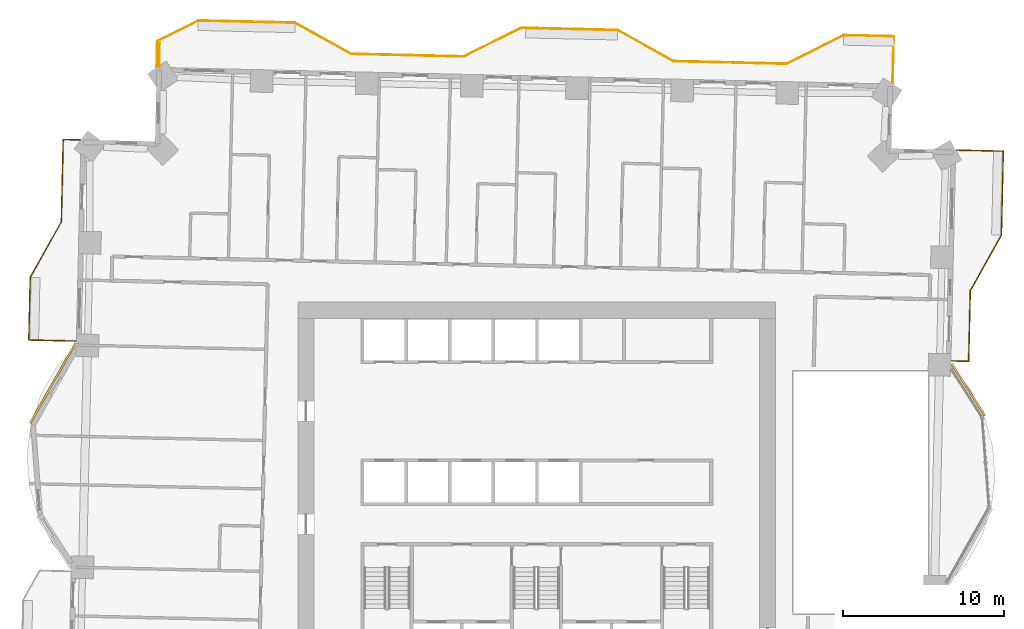
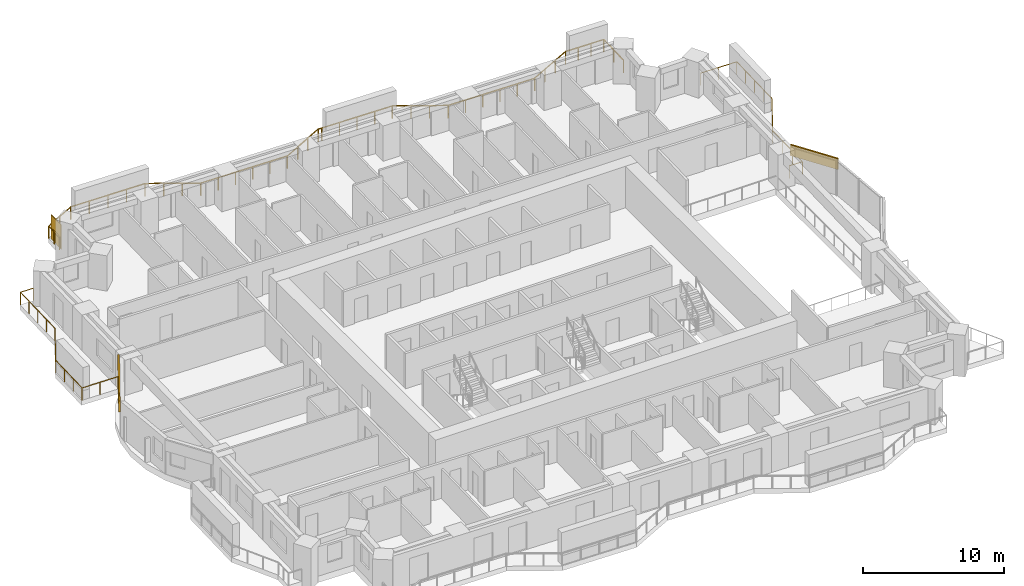
# One storey, part 16 of 16: 3 railings, 2 coverings, 1 shading device.
"""IFC4 building model written with IfcOpenShell, lengths in metres."""

import ifcopenshell
import ifcopenshell.guid

model = None  # the IFC model being written
_history = None  # IfcOwnerHistory: only IFC2X3 demands one
_inside = {}  # id of a spatial element -> (the spatial element, [elements in it])
_under = {}  # id of a project, library or spatial element -> (it, [spatial elements below it])
_declared = {}  # id of a project -> (the project, [libraries it declares])
_typed = {}  # id of a type object -> (the type object, [elements of that type])
_made_of = {}  # id of a material, layer set ... -> (it, [elements and type objects made of it])


def new_model(schema):
    """Start an empty IFC model of exactly this schema.

    Asked for "IFC4X3", IfcOpenShell would pick the latest addendum, in which some entities
    have other attributes; the version numbers below select the first issue.
    IFC2X3 requires an IfcOwnerHistory on every rooted entity: one is made here for all.
    """
    global model, _history
    if schema == "IFC4X3":
        model = ifcopenshell.file(schema_version=(4, 3, 0, 0))
    else:
        model = ifcopenshell.file(schema=schema)
    _inside.clear()
    _under.clear()
    _declared.clear()
    _typed.clear()
    _made_of.clear()
    _history = None
    if model.schema == "IFC2X3":
        org = make("IfcOrganization", Name="unknown")
        user = make(
            "IfcPersonAndOrganization",
            ThePerson=make("IfcPerson", FamilyName="unknown"),
            TheOrganization=org,
        )
        app = make(
            "IfcApplication",
            ApplicationDeveloper=org,
            Version="unknown",
            ApplicationFullName="unknown",
            ApplicationIdentifier="unknown",
        )
        _history = make(
            "IfcOwnerHistory",
            OwningUser=user,
            OwningApplication=app,
            ChangeAction="ADDED",
            CreationDate=0,
        )
    return model


def make(cls, **values):
    """One entity of the class cls with the attributes given. An attribute that is None is left unset."""
    return model.create_entity(
        cls, **{name: value for name, value in values.items() if value is not None}
    )


def rooted(cls, **values):
    """An entity with a GlobalId (a new one), such as an element, a storey or a relation."""
    return make(cls, GlobalId=ifcopenshell.guid.new(), OwnerHistory=_history, **values)


def si_unit(unit_type, name, prefix=None):
    """IfcSIUnit, for example si_unit("LENGTHUNIT", "METRE", prefix="MILLI")."""
    return make("IfcSIUnit", UnitType=unit_type, Prefix=prefix, Name=name)


def assignment(units):
    """IfcUnitAssignment: the units of a project."""
    return None if units is None else make("IfcUnitAssignment", Units=units)


def point(xyz):
    """IfcCartesianPoint."""
    return None if xyz is None else make("IfcCartesianPoint", Coordinates=xyz)


def direction(xyz):
    """IfcDirection."""
    return None if xyz is None else make("IfcDirection", DirectionRatios=xyz)


def frame(location, z_axis=None, x_axis=None):
    """IfcAxis2Placement3D, a coordinate frame: its origin and axes. An axis left out is left unset."""
    return make(
        "IfcAxis2Placement3D",
        Location=point(location),
        Axis=direction(z_axis),
        RefDirection=direction(x_axis),
    )


def frame_2d(location, x_axis=None):
    """IfcAxis2Placement2D, a coordinate frame in the plane: its origin and x axis."""
    return make(
        "IfcAxis2Placement2D", Location=point(location), RefDirection=direction(x_axis)
    )


def origin():
    """The frame at (0, 0, 0) with its axes left unset."""
    return frame((0.0, 0.0, 0.0))


def origin_2d():
    """The frame at (0, 0) in the plane with its x axis left unset."""
    return frame_2d((0.0, 0.0))


def place(relative_to, where):
    """IfcLocalPlacement: puts the frame where relative to a parent placement (None: the world)."""
    return make(
        "IfcLocalPlacement", PlacementRelTo=relative_to, RelativePlacement=where
    )


def context(
    kind, dimensions, precision=None, world=None, true_north=None, identifier=None
):
    """IfcGeometricRepresentationContext, for example the 3D "Model" context."""
    return make(
        "IfcGeometricRepresentationContext",
        ContextIdentifier=identifier,
        ContextType=kind,
        CoordinateSpaceDimension=dimensions,
        Precision=precision,
        WorldCoordinateSystem=world,
        TrueNorth=true_north,
    )


def subcontext(parent, identifier, kind, view, scale=None):
    """IfcGeometricRepresentationSubContext, for example "Body" below "Model"."""
    return make(
        "IfcGeometricRepresentationSubContext",
        ContextIdentifier=identifier,
        ContextType=kind,
        ParentContext=parent,
        TargetScale=scale,
        TargetView=view,
    )


def project(units=None, contexts=None):
    """IfcProject with its units and contexts."""
    return rooted(
        "IfcProject",
        Name="project",
        RepresentationContexts=contexts,
        UnitsInContext=assignment(units),
    )


def spatial(cls, under=None, at=None, **own):
    """A site, building, storey or space (cls), placed at a placement, below another one or the project."""
    s = rooted(cls, ObjectPlacement=at, **own)
    if under is not None:
        _under.setdefault(under.id(), (under, []))[1].append(s)
    return s


def profile(cls, at=None, kind="AREA", **sizes):
    """A parametric profile (cls). Its sizes go by their IFC names, for example OverallWidth=200.0."""
    return make(cls, ProfileType=kind, Position=at, **sizes)


def rectangle(**sizes):
    """IfcRectangleProfileDef."""
    return profile("IfcRectangleProfileDef", **sizes)


def extrude(swept, where, along, depth):
    """IfcExtrudedAreaSolid: the profile swept, set in the frame where, extruded along a direction by depth."""
    return make(
        "IfcExtrudedAreaSolid",
        SweptArea=swept,
        Position=where,
        ExtrudedDirection=direction(along),
        Depth=depth,
    )


def shape(context_of_items, identifier, shape_type, items):
    """IfcShapeRepresentation: the items that make up one representation, for example the "Body"."""
    return make(
        "IfcShapeRepresentation",
        ContextOfItems=context_of_items,
        RepresentationIdentifier=identifier,
        RepresentationType=shape_type,
        Items=items,
    )


def material(Name=None, Category=None):
    """IfcMaterial."""
    return make("IfcMaterial", Name=Name, Category=Category)


def layer(
    of_material, thickness, ventilated=None, Name=None, Category=None, Priority=None
):
    """IfcMaterialLayer: one layer of a wall or slab, of a material (None: an air gap)."""
    return make(
        "IfcMaterialLayer",
        Material=of_material,
        LayerThickness=thickness,
        IsVentilated=ventilated,
        Name=Name,
        Category=Category,
        Priority=Priority,
    )


def layer_set(layers, Name=None):
    """IfcMaterialLayerSet."""
    return make("IfcMaterialLayerSet", MaterialLayers=layers, LayerSetName=Name)


def made_of(thing, what):
    """Note that an element or type object is made of a material, layer set ...; save() writes the relation."""
    if what is not None:
        _made_of.setdefault(what.id(), (what, []))[1].append(thing)
    return thing


def type_object(cls, material=None, **own):
    """A type object (cls), such as IfcWallType, which elements share."""
    return made_of(rooted(cls, **own), material)


def element(
    cls,
    number,
    at=None,
    inside=None,
    cuts=None,
    type_object=None,
    material=None,
    context=None,
    identifier="Body",
    shape_type=None,
    held_by="IfcProductDefinitionShape",
    body=None,
    shapes=None,
    **own,
):
    """One element of the class cls, such as IfcWall. Its Tag is "e" and its number.

    at: its placement. inside: the storey or other place that contains it. cuts: it is an
    opening in that element (IfcRelVoidsElement). A single representation is given by context,
    identifier, shape_type and body (its items); several are given by shapes. held_by: the class
    of the entity that holds the representations. save() writes the other relations.
    """
    e = rooted(cls, Tag="e%d" % number, ObjectPlacement=at, **own)
    if body is not None:
        shapes = [shape(context, identifier, shape_type, body)]
    if shapes is not None:
        e.Representation = make(held_by, Representations=shapes)
    if inside is not None:
        _inside.setdefault(inside.id(), (inside, []))[1].append(e)
    if cuts is not None:
        rooted(
            "IfcRelVoidsElement", RelatingBuildingElement=cuts, RelatedOpeningElement=e
        )
    if type_object is not None:
        _typed.setdefault(type_object.id(), (type_object, []))[1].append(e)
    return made_of(e, material)


def aggregate(whole, parts):
    """IfcRelAggregates: a whole, such as a stair, and the parts it consists of."""
    return rooted("IfcRelAggregates", RelatingObject=whole, RelatedObjects=parts)


def save(model, path):
    """Write the relations noted so far, then the file.

    IfcRelAggregates (storeys below a building ...), IfcRelContainedInSpatialStructure (elements
    in a storey), IfcRelDefinesByType, IfcRelAssociatesMaterial and IfcRelDeclares: one each for
    every whole, place, type object, material and project.
    """
    for whole, parts in _under.values():
        aggregate(whole, parts)
    for where, things in _inside.values():
        rooted(
            "IfcRelContainedInSpatialStructure",
            RelatedElements=things,
            RelatingStructure=where,
        )
    for kind, things in _typed.values():
        rooted("IfcRelDefinesByType", RelatedObjects=things, RelatingType=kind)
    for what, things in _made_of.values():
        rooted("IfcRelAssociatesMaterial", RelatedObjects=things, RelatingMaterial=what)
    for by, libraries in _declared.values():
        rooted("IfcRelDeclares", RelatingContext=by, RelatedDefinitions=libraries)
    model.write(path)


model = new_model("IFC4")

# Units and contexts
model_context = context("Model", 3, precision=1e-05, world=origin(), true_north=direction((0.0, 1.0)))
body_context = subcontext(model_context, "Body", "Model", "MODEL_VIEW")
ifc_project = project(units=[si_unit("LENGTHUNIT", "METRE"), si_unit("AREAUNIT", "SQUARE_METRE"), si_unit("VOLUMEUNIT", "CUBIC_METRE"), si_unit("PLANEANGLEUNIT", "RADIAN"), si_unit("MASSUNIT", "GRAM", prefix="KILO")], contexts=[model_context])

# Site, building, storey
site_placement = place(None, origin())
site = spatial("IfcSite", under=ifc_project, at=site_placement, CompositionType="ELEMENT")
building_placement = place(site_placement, origin())
building = spatial("IfcBuilding", under=site, at=building_placement, Name="Mangrove Gate Tower", CompositionType="ELEMENT")
storey_placement = place(building_placement, frame((0.0, 0.0, 101.89990234375)))
storey = spatial("IfcBuildingStorey", under=building, at=storey_placement, Name="L25", CompositionType="ELEMENT", Elevation=101.89990234375)

# Railings
ifc_material_1 = material(Name="Stainless steel grade 316 with laminated glass infill", Category="steel")
railing_type = type_object("IfcRailingType", Name="Balcony guard 1100", PredefinedType="GUARDRAIL", material=ifc_material_1)
railing_1_placement = place(storey_placement, frame((25.698974609375, 8.157958984375, 0.0)))
element("IfcRailing", 1, at=railing_1_placement, inside=storey, type_object=railing_type, Name="GUARD L25 E2", PredefinedType="GUARDRAIL", context=body_context, shape_type="SweptSolid", body=[
    extrude(rectangle(XDim=0.048095703125, YDim=0.048095703125, at=origin_2d()), frame((0.0, 0.0, 1.076171875), z_axis=(0.999744919731, -0.022585293253, 0.0), x_axis=(0.022585293253, 0.999744919731, 0.0)), (0.0, 0.0, 1.0), 1.059326171875),
    extrude(rectangle(XDim=0.048095703125, YDim=0.048095703125, at=origin_2d()), frame((1.05908203125, -0.02392578125, 1.076171875), z_axis=(0.022827904112, 0.999739409443, 0.0), x_axis=(-0.999739409443, 0.022827904112, 0.0)), (0.0, 0.0, 1.0), 4.374267578125),
    extrude(rectangle(XDim=0.048095703125, YDim=0.048095703125, at=origin_2d()), frame((1.158935546875, 4.34912109375, 1.076171875), z_axis=(0.487307108654, 0.873230657876, 0.0), x_axis=(-0.873230657876, 0.487307108654, 0.0)), (0.0, 0.0, 1.0), 3.958984375),
    extrude(rectangle(XDim=0.048095703125, YDim=0.048095703125, at=origin_2d()), frame((3.088134765625, 7.80615234375, 1.076171875), z_axis=(0.022675548694, 0.99974287669, 0.0), x_axis=(-0.99974287669, 0.022675548694, 0.0)), (0.0, 0.0, 1.0), 5.2001953125),
    extrude(rectangle(XDim=0.048095703125, YDim=0.048095703125, at=origin_2d()), frame((3.2060546875, 13.005126953125, 1.076171875), z_axis=(-0.999743521605, 0.022647097142, 0.0), x_axis=(-0.022647097142, -0.999743521605, 0.0)), (0.0, 0.0, 1.0), 2.91064453125),
    extrude(rectangle(XDim=0.0419921875, YDim=0.0419921875, at=origin_2d()), origin(), (0.0, 0.0, 1.0), 1.052001953125),
    extrude(rectangle(XDim=0.0419921875, YDim=0.0419921875, at=origin_2d()), frame((1.05908203125, -0.02392578125, 0.0)), (0.0, 0.0, 1.0), 1.052001953125),
    extrude(rectangle(XDim=0.0419921875, YDim=0.0419921875, at=origin_2d()), frame((1.09228515625, 1.433837890625, 0.0)), (0.0, 0.0, 1.0), 1.052001953125),
    extrude(rectangle(XDim=0.0419921875, YDim=0.0419921875, at=origin_2d()), frame((1.125732421875, 2.891357421875, 0.0)), (0.0, 0.0, 1.0), 1.052001953125),
    extrude(rectangle(XDim=0.0419921875, YDim=0.0419921875, at=origin_2d()), frame((1.158935546875, 4.34912109375, 0.0)), (0.0, 0.0, 1.0), 1.052001953125),
    extrude(rectangle(XDim=0.0419921875, YDim=0.0419921875, at=origin_2d()), frame((1.802001953125, 5.50146484375, 0.0)), (0.0, 0.0, 1.0), 1.052001953125),
    extrude(rectangle(XDim=0.0419921875, YDim=0.0419921875, at=origin_2d()), frame((2.445068359375, 6.65380859375, 0.0)), (0.0, 0.0, 1.0), 1.052001953125),
    extrude(rectangle(XDim=0.0419921875, YDim=0.0419921875, at=origin_2d()), frame((3.088134765625, 7.80615234375, 0.0)), (0.0, 0.0, 1.0), 1.052001953125),
    extrude(rectangle(XDim=0.0419921875, YDim=0.0419921875, at=origin_2d()), frame((3.11767578125, 9.10595703125, 0.0)), (0.0, 0.0, 1.0), 1.052001953125),
    extrude(rectangle(XDim=0.0419921875, YDim=0.0419921875, at=origin_2d()), frame((3.14697265625, 10.40576171875, 0.0)), (0.0, 0.0, 1.0), 1.052001953125),
    extrude(rectangle(XDim=0.0419921875, YDim=0.0419921875, at=origin_2d()), frame((3.176513671875, 11.705322265625, 0.0)), (0.0, 0.0, 1.0), 1.052001953125),
    extrude(rectangle(XDim=0.0419921875, YDim=0.0419921875, at=origin_2d()), frame((3.2060546875, 13.005126953125, 0.0)), (0.0, 0.0, 1.0), 1.052001953125),
    extrude(rectangle(XDim=0.0419921875, YDim=0.0419921875, at=origin_2d()), frame((1.7509765625, 13.0380859375, 0.0)), (0.0, 0.0, 1.0), 1.052001953125),
    extrude(rectangle(XDim=0.0419921875, YDim=0.0419921875, at=origin_2d()), frame((0.296142578125, 13.071044921875, 0.0)), (0.0, 0.0, 1.0), 1.052001953125),
])
railing_2_placement = place(storey_placement, frame((22.048095703125, 25.360107421875, 0.0)))
element("IfcRailing", 2, at=railing_2_placement, inside=storey, type_object=railing_type, Name="GUARD L25 N1", PredefinedType="GUARDRAIL", context=body_context, shape_type="SweptSolid", body=[
    extrude(rectangle(XDim=0.048095703125, YDim=0.048095703125, at=origin_2d()), frame((0.0, 0.0, 1.076171875), z_axis=(0.022654696127, 0.999743349437, 0.0), x_axis=(-0.999743349437, 0.022654696127, 0.0)), (0.0, 0.0, 1.0), 2.90966796875),
    extrude(rectangle(XDim=0.048095703125, YDim=0.048095703125, at=origin_2d()), frame((0.06591796875, 2.908935546875, 1.076171875), z_axis=(-0.999745154684, 0.02257489059, 0.0), x_axis=(-0.02257489059, -0.999745154684, 0.0)), (0.0, 0.0, 1.0), 3.103759765625),
    extrude(rectangle(XDim=0.048095703125, YDim=0.048095703125, at=origin_2d()), frame((-3.037109375, 2.97900390625, 1.076171875), z_axis=(-0.894476522376, -0.447114919141, 0.0), x_axis=(0.447114919141, -0.894476522376, 0.0)), (0.0, 0.0, 1.0), 3.958740234375),
    extrude(rectangle(XDim=0.048095703125, YDim=0.048095703125, at=origin_2d()), frame((-6.578125, 1.208984375, 1.076171875), z_axis=(-0.999742267452, 0.022702393474, 0.0), x_axis=(-0.022702393474, -0.999742267452, 0.0)), (0.0, 0.0, 1.0), 7.000732421875),
    extrude(rectangle(XDim=0.048095703125, YDim=0.048095703125, at=origin_2d()), frame((-13.5771484375, 1.367919921875, 1.076171875), z_axis=(-0.87325689943, 0.48726008209, 0.0), x_axis=(-0.48726008209, -0.87325689943, 0.0)), (0.0, 0.0, 1.0), 3.958740234375),
    extrude(rectangle(XDim=0.048095703125, YDim=0.048095703125, at=origin_2d()), frame((-17.0341796875, 3.296875, 1.076171875), z_axis=(-0.999744196375, 0.022617290187, 0.0), x_axis=(-0.022617290187, -0.999744196375, 0.0)), (0.0, 0.0, 1.0), 5.699462890625),
    extrude(rectangle(XDim=0.048095703125, YDim=0.048095703125, at=origin_2d()), frame((-22.732177734375, 3.42578125, 1.076171875), z_axis=(-0.999721267469, 0.023609052733, 0.0), x_axis=(-0.023609052733, -0.999721267469, 0.0)), (0.0, 0.0, 1.0), 0.2998046875),
    extrude(rectangle(XDim=0.048095703125, YDim=0.048095703125, at=origin_2d()), frame((-23.031982421875, 3.432861328125, 1.076171875), z_axis=(-0.894476522376, -0.447114919141, 0.0), x_axis=(0.447114919141, -0.894476522376, 0.0)), (0.0, 0.0, 1.0), 3.958740234375),
    extrude(rectangle(XDim=0.048095703125, YDim=0.048095703125, at=origin_2d()), frame((-26.572998046875, 1.662841796875, 1.076171875), z_axis=(-0.999742195543, 0.022705559911, 0.0), x_axis=(-0.022705559911, -0.999742195543, 0.0)), (0.0, 0.0, 1.0), 6.999755859375),
    extrude(rectangle(XDim=0.048095703125, YDim=0.048095703125, at=origin_2d()), frame((-33.571044921875, 1.82177734375, 1.076171875), z_axis=(-0.873289216505, 0.487202159618, 0.0), x_axis=(-0.487202159618, -0.873289216505, 0.0)), (0.0, 0.0, 1.0), 3.959716796875),
    extrude(rectangle(XDim=0.048095703125, YDim=0.048095703125, at=origin_2d()), frame((-37.029052734375, 3.7509765625, 1.076171875), z_axis=(-0.999743094499, 0.022665943652, 0.0), x_axis=(-0.022665943652, -0.999743094499, 0.0)), (0.0, 0.0, 1.0), 5.99951171875),
    extrude(rectangle(XDim=0.048095703125, YDim=0.048095703125, at=origin_2d()), frame((-43.027099609375, 3.886962890625, 1.076171875), z_axis=(-0.894340972845, -0.447385990271, 0.0), x_axis=(0.447385990271, -0.894340972845, 0.0)), (0.0, 0.0, 1.0), 2.832275390625),
    extrude(rectangle(XDim=0.048095703125, YDim=0.048095703125, at=origin_2d()), frame((-45.56005859375, 2.619873046875, 1.076171875), z_axis=(-0.022777340407, -0.999740562728, 0.0), x_axis=(0.999740562728, -0.022777340407, 0.0)), (0.0, 0.0, 1.0), 1.58642578125),
    extrude(rectangle(XDim=0.0419921875, YDim=0.0419921875, at=origin_2d()), origin(), (0.0, 0.0, 1.0), 1.052001953125),
    extrude(rectangle(XDim=0.0419921875, YDim=0.0419921875, at=origin_2d()), frame((0.032958984375, 1.45458984375, 0.0)), (0.0, 0.0, 1.0), 1.052001953125),
    extrude(rectangle(XDim=0.0419921875, YDim=0.0419921875, at=origin_2d()), frame((0.06591796875, 2.908935546875, 0.0)), (0.0, 0.0, 1.0), 1.052001953125),
    extrude(rectangle(XDim=0.0419921875, YDim=0.0419921875, at=origin_2d()), frame((-0.968505859375, 2.932373046875, 0.0)), (0.0, 0.0, 1.0), 1.052001953125),
    extrude(rectangle(XDim=0.0419921875, YDim=0.0419921875, at=origin_2d()), frame((-2.002685546875, 2.95556640625, 0.0)), (0.0, 0.0, 1.0), 1.052001953125),
    extrude(rectangle(XDim=0.0419921875, YDim=0.0419921875, at=origin_2d()), frame((-3.037109375, 2.97900390625, 0.0)), (0.0, 0.0, 1.0), 1.052001953125),
    extrude(rectangle(XDim=0.0419921875, YDim=0.0419921875, at=origin_2d()), frame((-4.217529296875, 2.388916015625, 0.0)), (0.0, 0.0, 1.0), 1.052001953125),
    extrude(rectangle(XDim=0.0419921875, YDim=0.0419921875, at=origin_2d()), frame((-5.397705078125, 1.799072265625, 0.0)), (0.0, 0.0, 1.0), 1.052001953125),
    extrude(rectangle(XDim=0.0419921875, YDim=0.0419921875, at=origin_2d()), frame((-6.578125, 1.208984375, 0.0)), (0.0, 0.0, 1.0), 1.052001953125),
    extrude(rectangle(XDim=0.0419921875, YDim=0.0419921875, at=origin_2d()), frame((-7.97802734375, 1.24072265625, 0.0)), (0.0, 0.0, 1.0), 1.052001953125),
    extrude(rectangle(XDim=0.0419921875, YDim=0.0419921875, at=origin_2d()), frame((-9.377685546875, 1.2724609375, 0.0)), (0.0, 0.0, 1.0), 1.052001953125),
    extrude(rectangle(XDim=0.0419921875, YDim=0.0419921875, at=origin_2d()), frame((-10.777587890625, 1.304443359375, 0.0)), (0.0, 0.0, 1.0), 1.052001953125),
    extrude(rectangle(XDim=0.0419921875, YDim=0.0419921875, at=origin_2d()), frame((-12.17724609375, 1.336181640625, 0.0)), (0.0, 0.0, 1.0), 1.052001953125),
    extrude(rectangle(XDim=0.0419921875, YDim=0.0419921875, at=origin_2d()), frame((-13.5771484375, 1.367919921875, 0.0)), (0.0, 0.0, 1.0), 1.052001953125),
    extrude(rectangle(XDim=0.0419921875, YDim=0.0419921875, at=origin_2d()), frame((-14.7294921875, 2.010986328125, 0.0)), (0.0, 0.0, 1.0), 1.052001953125),
    extrude(rectangle(XDim=0.0419921875, YDim=0.0419921875, at=origin_2d()), frame((-15.8818359375, 2.65380859375, 0.0)), (0.0, 0.0, 1.0), 1.052001953125),
    extrude(rectangle(XDim=0.0419921875, YDim=0.0419921875, at=origin_2d()), frame((-17.0341796875, 3.296875, 0.0)), (0.0, 0.0, 1.0), 1.052001953125),
    extrude(rectangle(XDim=0.0419921875, YDim=0.0419921875, at=origin_2d()), frame((-18.458740234375, 3.3291015625, 0.0)), (0.0, 0.0, 1.0), 1.052001953125),
    extrude(rectangle(XDim=0.0419921875, YDim=0.0419921875, at=origin_2d()), frame((-19.88330078125, 3.361328125, 0.0)), (0.0, 0.0, 1.0), 1.052001953125),
    extrude(rectangle(XDim=0.0419921875, YDim=0.0419921875, at=origin_2d()), frame((-21.3076171875, 3.3935546875, 0.0)), (0.0, 0.0, 1.0), 1.052001953125),
    extrude(rectangle(XDim=0.0419921875, YDim=0.0419921875, at=origin_2d()), frame((-22.732177734375, 3.42578125, 0.0)), (0.0, 0.0, 1.0), 1.052001953125),
    extrude(rectangle(XDim=0.0419921875, YDim=0.0419921875, at=origin_2d()), frame((-23.031982421875, 3.432861328125, 0.0)), (0.0, 0.0, 1.0), 1.052001953125),
    extrude(rectangle(XDim=0.0419921875, YDim=0.0419921875, at=origin_2d()), frame((-24.21240234375, 2.8427734375, 0.0)), (0.0, 0.0, 1.0), 1.052001953125),
    extrude(rectangle(XDim=0.0419921875, YDim=0.0419921875, at=origin_2d()), frame((-25.392578125, 2.2529296875, 0.0)), (0.0, 0.0, 1.0), 1.052001953125),
    extrude(rectangle(XDim=0.0419921875, YDim=0.0419921875, at=origin_2d()), frame((-26.572998046875, 1.662841796875, 0.0)), (0.0, 0.0, 1.0), 1.052001953125),
    extrude(rectangle(XDim=0.0419921875, YDim=0.0419921875, at=origin_2d()), frame((-27.97265625, 1.694580078125, 0.0)), (0.0, 0.0, 1.0), 1.052001953125),
    extrude(rectangle(XDim=0.0419921875, YDim=0.0419921875, at=origin_2d()), frame((-29.372314453125, 1.726318359375, 0.0)), (0.0, 0.0, 1.0), 1.052001953125),
    extrude(rectangle(XDim=0.0419921875, YDim=0.0419921875, at=origin_2d()), frame((-30.771728515625, 1.75830078125, 0.0)), (0.0, 0.0, 1.0), 1.052001953125),
    extrude(rectangle(XDim=0.0419921875, YDim=0.0419921875, at=origin_2d()), frame((-32.17138671875, 1.7900390625, 0.0)), (0.0, 0.0, 1.0), 1.052001953125),
    extrude(rectangle(XDim=0.0419921875, YDim=0.0419921875, at=origin_2d()), frame((-33.571044921875, 1.82177734375, 0.0)), (0.0, 0.0, 1.0), 1.052001953125),
    extrude(rectangle(XDim=0.0419921875, YDim=0.0419921875, at=origin_2d()), frame((-34.7236328125, 2.46484375, 0.0)), (0.0, 0.0, 1.0), 1.052001953125),
    extrude(rectangle(XDim=0.0419921875, YDim=0.0419921875, at=origin_2d()), frame((-35.87646484375, 3.10791015625, 0.0)), (0.0, 0.0, 1.0), 1.052001953125),
    extrude(rectangle(XDim=0.0419921875, YDim=0.0419921875, at=origin_2d()), frame((-37.029052734375, 3.7509765625, 0.0)), (0.0, 0.0, 1.0), 1.052001953125),
    extrude(rectangle(XDim=0.0419921875, YDim=0.0419921875, at=origin_2d()), frame((-38.528564453125, 3.784912109375, 0.0)), (0.0, 0.0, 1.0), 1.052001953125),
    extrude(rectangle(XDim=0.0419921875, YDim=0.0419921875, at=origin_2d()), frame((-40.028076171875, 3.81884765625, 0.0)), (0.0, 0.0, 1.0), 1.052001953125),
    extrude(rectangle(XDim=0.0419921875, YDim=0.0419921875, at=origin_2d()), frame((-41.527587890625, 3.85302734375, 0.0)), (0.0, 0.0, 1.0), 1.052001953125),
    extrude(rectangle(XDim=0.0419921875, YDim=0.0419921875, at=origin_2d()), frame((-43.027099609375, 3.886962890625, 0.0)), (0.0, 0.0, 1.0), 1.052001953125),
    extrude(rectangle(XDim=0.0419921875, YDim=0.0419921875, at=origin_2d()), frame((-44.29345703125, 3.25341796875, 0.0)), (0.0, 0.0, 1.0), 1.052001953125),
    extrude(rectangle(XDim=0.0419921875, YDim=0.0419921875, at=origin_2d()), frame((-45.56005859375, 2.619873046875, 0.0)), (0.0, 0.0, 1.0), 1.052001953125),
    extrude(rectangle(XDim=0.0419921875, YDim=0.0419921875, at=origin_2d()), frame((-45.578125, 1.826904296875, 0.0)), (0.0, 0.0, 1.0), 1.052001953125),
    extrude(rectangle(XDim=0.0419921875, YDim=0.0419921875, at=origin_2d()), frame((-45.59619140625, 1.033935546875, 0.0)), (0.0, 0.0, 1.0), 1.052001953125),
])
railing_3_placement = place(storey_placement, frame((-28.2919921875, 21.861083984375, 0.0)))
element("IfcRailing", 3, at=railing_3_placement, inside=storey, type_object=railing_type, Name="GUARD L25 W1", PredefinedType="GUARDRAIL", context=body_context, shape_type="SweptSolid", body=[
    extrude(rectangle(XDim=0.048095703125, YDim=0.048095703125, at=origin_2d()), frame((0.0, 0.0, 1.076171875), z_axis=(-0.999745389313, 0.022564497502, 0.0), x_axis=(-0.022564497502, -0.999745389313, 0.0)), (0.0, 0.0, 1.0), 1.060302734375),
    extrude(rectangle(XDim=0.048095703125, YDim=0.048095703125, at=origin_2d()), frame((-1.06005859375, 0.02392578125, 1.076171875), z_axis=(-0.022736627765, -0.999741489465, 0.0), x_axis=(0.999741489465, -0.022736627765, 0.0)), (0.0, 0.0, 1.0), 5.100341796875),
    extrude(rectangle(XDim=0.048095703125, YDim=0.048095703125, at=origin_2d()), frame((-1.176025390625, -5.0751953125, 1.076171875), z_axis=(-0.487286324359, -0.873242256246, 0.0), x_axis=(0.873242256246, -0.487286324359, 0.0)), (0.0, 0.0, 1.0), 3.95849609375),
    extrude(rectangle(XDim=0.048095703125, YDim=0.048095703125, at=origin_2d()), frame((-3.10498046875, -8.531982421875, 1.076171875), z_axis=(-0.022744303924, -0.999741314861, 0.0), x_axis=(0.999741314861, -0.022744303924, 0.0)), (0.0, 0.0, 1.0), 3.875),
    extrude(rectangle(XDim=0.048095703125, YDim=0.048095703125, at=origin_2d()), frame((-3.193115234375, -12.406005859375, 1.076171875), z_axis=(0.999741662318, -0.022729026048, 0.0), x_axis=(0.022729026048, 0.999741662318, 0.0)), (0.0, 0.0, 1.0), 2.910888671875),
    extrude(rectangle(XDim=0.0419921875, YDim=0.0419921875, at=origin_2d()), origin(), (0.0, 0.0, 1.0), 1.052001953125),
    extrude(rectangle(XDim=0.0419921875, YDim=0.0419921875, at=origin_2d()), frame((-1.06005859375, 0.02392578125, 0.0)), (0.0, 0.0, 1.0), 1.052001953125),
    extrude(rectangle(XDim=0.0419921875, YDim=0.0419921875, at=origin_2d()), frame((-1.089111328125, -1.2509765625, 0.0)), (0.0, 0.0, 1.0), 1.052001953125),
    extrude(rectangle(XDim=0.0419921875, YDim=0.0419921875, at=origin_2d()), frame((-1.1181640625, -2.525634765625, 0.0)), (0.0, 0.0, 1.0), 1.052001953125),
    extrude(rectangle(XDim=0.0419921875, YDim=0.0419921875, at=origin_2d()), frame((-1.14697265625, -3.80029296875, 0.0)), (0.0, 0.0, 1.0), 1.052001953125),
    extrude(rectangle(XDim=0.0419921875, YDim=0.0419921875, at=origin_2d()), frame((-1.176025390625, -5.0751953125, 0.0)), (0.0, 0.0, 1.0), 1.052001953125),
    extrude(rectangle(XDim=0.0419921875, YDim=0.0419921875, at=origin_2d()), frame((-1.819091796875, -6.2275390625, 0.0)), (0.0, 0.0, 1.0), 1.052001953125),
    extrude(rectangle(XDim=0.0419921875, YDim=0.0419921875, at=origin_2d()), frame((-2.4619140625, -7.379638671875, 0.0)), (0.0, 0.0, 1.0), 1.052001953125),
    extrude(rectangle(XDim=0.0419921875, YDim=0.0419921875, at=origin_2d()), frame((-3.10498046875, -8.531982421875, 0.0)), (0.0, 0.0, 1.0), 1.052001953125),
    extrude(rectangle(XDim=0.0419921875, YDim=0.0419921875, at=origin_2d()), frame((-3.13427734375, -9.8232421875, 0.0)), (0.0, 0.0, 1.0), 1.052001953125),
    extrude(rectangle(XDim=0.0419921875, YDim=0.0419921875, at=origin_2d()), frame((-3.163818359375, -11.11474609375, 0.0)), (0.0, 0.0, 1.0), 1.052001953125),
    extrude(rectangle(XDim=0.0419921875, YDim=0.0419921875, at=origin_2d()), frame((-3.193115234375, -12.406005859375, 0.0)), (0.0, 0.0, 1.0), 1.052001953125),
    extrude(rectangle(XDim=0.0419921875, YDim=0.0419921875, at=origin_2d()), frame((-1.738037109375, -12.43896484375, 0.0)), (0.0, 0.0, 1.0), 1.052001953125),
    extrude(rectangle(XDim=0.0419921875, YDim=0.0419921875, at=origin_2d()), frame((-0.282958984375, -12.47216796875, 0.0)), (0.0, 0.0, 1.0), 1.052001953125),
])

# Shading device
ifc_material_2 = material(Name="Timber slat screen in teak", Category="wood")
shading_device_type = type_object("IfcShadingDeviceType", Name="Balcony screen 2100", PredefinedType="USERDEFINED", material=ifc_material_2)
shading_device_placement = place(storey_placement, frame((-23.39208984375, 27.10400390625, 0.0), z_axis=(0.0, 0.0, 1.0), x_axis=(0.022809475005, 0.999739830081, 0.0)))
element("IfcShadingDevice", 4, at=shading_device_placement, inside=storey, type_object=shading_device_type, Name="SCREEN L25 N1", ObjectType="SCREEN", PredefinedType="USERDEFINED", context=body_context, shape_type="SweptSolid", body=[
    extrude(rectangle(XDim=1.466064453125, YDim=0.050048828125, at=origin_2d()), origin(), (0.0, 0.0, 1.0), 2.10009765625),
])

# Coverings
ifc_material_3 = material(Name="Limestone", Category="masonry")
ifc_layer_1 = layer(ifc_material_3, 0.0400390625, Name="Limestone cladding")
ifc_material_4 = material(Name="Stainless steel anchors and cavity", Category="steel")
ifc_layer_2 = layer(ifc_material_4, 0.080078125, Name="Fixing cavity")
ifc_layer_set = layer_set([ifc_layer_1, ifc_layer_2], Name="Joint fascia cladding 120")
covering_type = type_object("IfcCoveringType", Name="Joint fascia cladding 120", PredefinedType="CLADDING", material=ifc_layer_set)
covering_1_placement = place(storey_placement, frame((27.762939453125, 4.77392578125, 2.10009765625), z_axis=(0.0, 0.0, 1.0), x_axis=(-0.540457066708, 0.841371593914, 0.0)))
element("IfcCovering", 5, at=covering_1_placement, inside=storey, type_object=covering_type, Name="STONE FASCIA L25 E1.L2", PredefinedType="CLADDING", context=body_context, shape_type="SweptSolid", body=[
    extrude(rectangle(XDim=3.81884765625, YDim=0.1201171875, at=frame_2d((1.909423828125, 0.0))), origin(), (0.0, 0.0, 1.0), 0.949951171875),
])
covering_2_placement = place(storey_placement, frame((-28.588134765625, 9.264892578125, 2.10009765625), z_axis=(0.0, 0.0, 1.0), x_axis=(-0.492461862622, -0.870334024305, 0.0)))
element("IfcCovering", 6, at=covering_2_placement, inside=storey, type_object=covering_type, Name="STONE FASCIA L25 W9.L1", PredefinedType="CLADDING", context=body_context, shape_type="SweptSolid", body=[
    extrude(rectangle(XDim=5.70556640625, YDim=0.1201171875, at=frame_2d((2.852783203125, 0.0))), origin(), (0.0, 0.0, 1.0), 0.949951171875),
])

save(model, "model.ifc")
